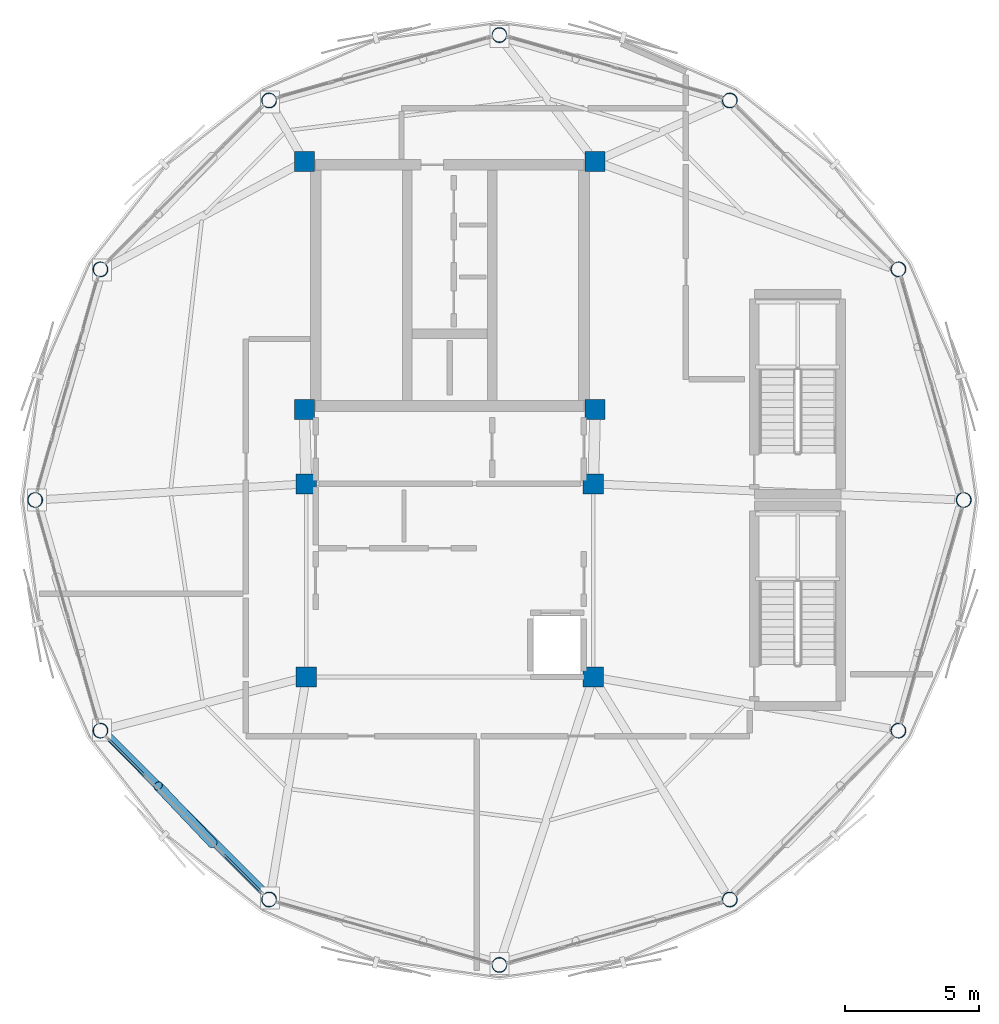
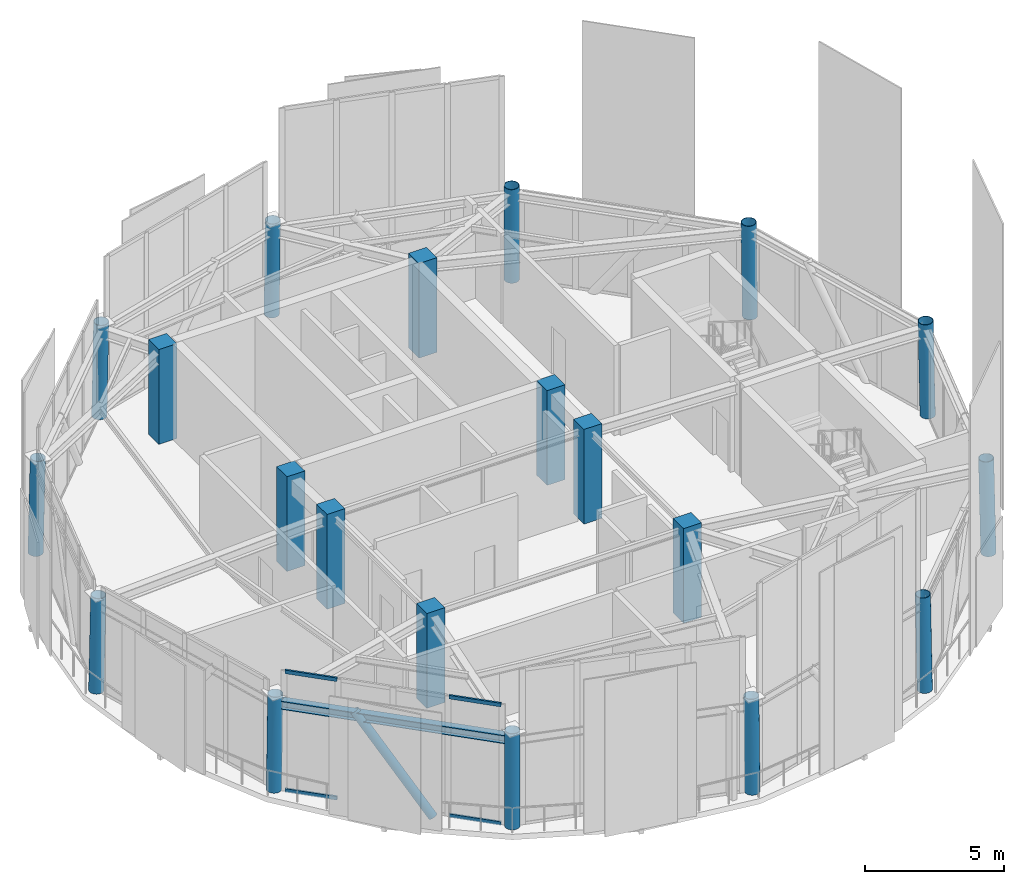
# One storey, part 1 of 20: 20 columns, 5 members, 1 beam, 1 element without a shape of its own.
"""IFC4 building model written with IfcOpenShell, lengths in metres."""

import ifcopenshell
import ifcopenshell.guid

model = None  # the IFC model being written
_history = None  # IfcOwnerHistory: only IFC2X3 demands one
_inside = {}  # id of a spatial element -> (the spatial element, [elements in it])
_under = {}  # id of a project, library or spatial element -> (it, [spatial elements below it])
_declared = {}  # id of a project -> (the project, [libraries it declares])
_typed = {}  # id of a type object -> (the type object, [elements of that type])
_made_of = {}  # id of a material, layer set ... -> (it, [elements and type objects made of it])


def new_model(schema):
    """Start an empty IFC model of exactly this schema.

    Asked for "IFC4X3", IfcOpenShell would pick the latest addendum, in which some entities
    have other attributes; the version numbers below select the first issue.
    IFC2X3 requires an IfcOwnerHistory on every rooted entity: one is made here for all.
    """
    global model, _history
    if schema == "IFC4X3":
        model = ifcopenshell.file(schema_version=(4, 3, 0, 0))
    else:
        model = ifcopenshell.file(schema=schema)
    _inside.clear()
    _under.clear()
    _declared.clear()
    _typed.clear()
    _made_of.clear()
    _history = None
    if model.schema == "IFC2X3":
        org = make("IfcOrganization", Name="unknown")
        user = make(
            "IfcPersonAndOrganization",
            ThePerson=make("IfcPerson", FamilyName="unknown"),
            TheOrganization=org,
        )
        app = make(
            "IfcApplication",
            ApplicationDeveloper=org,
            Version="unknown",
            ApplicationFullName="unknown",
            ApplicationIdentifier="unknown",
        )
        _history = make(
            "IfcOwnerHistory",
            OwningUser=user,
            OwningApplication=app,
            ChangeAction="ADDED",
            CreationDate=0,
        )
    return model


def make(cls, **values):
    """One entity of the class cls with the attributes given. An attribute that is None is left unset."""
    return model.create_entity(
        cls, **{name: value for name, value in values.items() if value is not None}
    )


def rooted(cls, **values):
    """An entity with a GlobalId (a new one), such as an element, a storey or a relation."""
    return make(cls, GlobalId=ifcopenshell.guid.new(), OwnerHistory=_history, **values)


def si_unit(unit_type, name, prefix=None):
    """IfcSIUnit, for example si_unit("LENGTHUNIT", "METRE", prefix="MILLI")."""
    return make("IfcSIUnit", UnitType=unit_type, Prefix=prefix, Name=name)


def assignment(units):
    """IfcUnitAssignment: the units of a project."""
    return None if units is None else make("IfcUnitAssignment", Units=units)


def point(xyz):
    """IfcCartesianPoint."""
    return None if xyz is None else make("IfcCartesianPoint", Coordinates=xyz)


def direction(xyz):
    """IfcDirection."""
    return None if xyz is None else make("IfcDirection", DirectionRatios=xyz)


def frame(location, z_axis=None, x_axis=None):
    """IfcAxis2Placement3D, a coordinate frame: its origin and axes. An axis left out is left unset."""
    return make(
        "IfcAxis2Placement3D",
        Location=point(location),
        Axis=direction(z_axis),
        RefDirection=direction(x_axis),
    )


def frame_2d(location, x_axis=None):
    """IfcAxis2Placement2D, a coordinate frame in the plane: its origin and x axis."""
    return make(
        "IfcAxis2Placement2D", Location=point(location), RefDirection=direction(x_axis)
    )


def origin():
    """The frame at (0, 0, 0) with its axes left unset."""
    return frame((0.0, 0.0, 0.0))


def origin_2d():
    """The frame at (0, 0) in the plane with its x axis left unset."""
    return frame_2d((0.0, 0.0))


def place(relative_to, where):
    """IfcLocalPlacement: puts the frame where relative to a parent placement (None: the world)."""
    return make(
        "IfcLocalPlacement", PlacementRelTo=relative_to, RelativePlacement=where
    )


def context(
    kind, dimensions, precision=None, world=None, true_north=None, identifier=None
):
    """IfcGeometricRepresentationContext, for example the 3D "Model" context."""
    return make(
        "IfcGeometricRepresentationContext",
        ContextIdentifier=identifier,
        ContextType=kind,
        CoordinateSpaceDimension=dimensions,
        Precision=precision,
        WorldCoordinateSystem=world,
        TrueNorth=true_north,
    )


def subcontext(parent, identifier, kind, view, scale=None):
    """IfcGeometricRepresentationSubContext, for example "Body" below "Model"."""
    return make(
        "IfcGeometricRepresentationSubContext",
        ContextIdentifier=identifier,
        ContextType=kind,
        ParentContext=parent,
        TargetScale=scale,
        TargetView=view,
    )


def project(units=None, contexts=None):
    """IfcProject with its units and contexts."""
    return rooted(
        "IfcProject",
        Name="project",
        RepresentationContexts=contexts,
        UnitsInContext=assignment(units),
    )


def spatial(cls, under=None, at=None, **own):
    """A site, building, storey or space (cls), placed at a placement, below another one or the project."""
    s = rooted(cls, ObjectPlacement=at, **own)
    if under is not None:
        _under.setdefault(under.id(), (under, []))[1].append(s)
    return s


def profile(cls, at=None, kind="AREA", **sizes):
    """A parametric profile (cls). Its sizes go by their IFC names, for example OverallWidth=200.0."""
    return make(cls, ProfileType=kind, Position=at, **sizes)


def rectangle(**sizes):
    """IfcRectangleProfileDef."""
    return profile("IfcRectangleProfileDef", **sizes)


def hollow_rectangle(**sizes):
    """IfcRectangleHollowProfileDef."""
    return profile("IfcRectangleHollowProfileDef", **sizes)


def hollow_circle(**sizes):
    """IfcCircleHollowProfileDef."""
    return profile("IfcCircleHollowProfileDef", **sizes)


def i_section(**sizes):
    """IfcIShapeProfileDef."""
    return profile("IfcIShapeProfileDef", **sizes)


def extrude(swept, where, along, depth):
    """IfcExtrudedAreaSolid: the profile swept, set in the frame where, extruded along a direction by depth."""
    return make(
        "IfcExtrudedAreaSolid",
        SweptArea=swept,
        Position=where,
        ExtrudedDirection=direction(along),
        Depth=depth,
    )


def shape(context_of_items, identifier, shape_type, items):
    """IfcShapeRepresentation: the items that make up one representation, for example the "Body"."""
    return make(
        "IfcShapeRepresentation",
        ContextOfItems=context_of_items,
        RepresentationIdentifier=identifier,
        RepresentationType=shape_type,
        Items=items,
    )


def material(Name=None, Category=None):
    """IfcMaterial."""
    return make("IfcMaterial", Name=Name, Category=Category)


def layer(
    of_material, thickness, ventilated=None, Name=None, Category=None, Priority=None
):
    """IfcMaterialLayer: one layer of a wall or slab, of a material (None: an air gap)."""
    return make(
        "IfcMaterialLayer",
        Material=of_material,
        LayerThickness=thickness,
        IsVentilated=ventilated,
        Name=Name,
        Category=Category,
        Priority=Priority,
    )


def layer_set(layers, Name=None):
    """IfcMaterialLayerSet."""
    return make("IfcMaterialLayerSet", MaterialLayers=layers, LayerSetName=Name)


def material_profile(
    of_material, cross_section, Name=None, Category=None, Priority=None
):
    """IfcMaterialProfile: a cross section and its material."""
    return make(
        "IfcMaterialProfile",
        Name=Name,
        Material=of_material,
        Profile=cross_section,
        Priority=Priority,
        Category=Category,
    )


def profile_set(profiles, Name=None, composite=None):
    """IfcMaterialProfileSet."""
    return make(
        "IfcMaterialProfileSet",
        Name=Name,
        MaterialProfiles=profiles,
        CompositeProfile=composite,
    )


def made_of(thing, what):
    """Note that an element or type object is made of a material, layer set ...; save() writes the relation."""
    if what is not None:
        _made_of.setdefault(what.id(), (what, []))[1].append(thing)
    return thing


def type_object(cls, material=None, **own):
    """A type object (cls), such as IfcWallType, which elements share."""
    return made_of(rooted(cls, **own), material)


def element(
    cls,
    number,
    at=None,
    inside=None,
    cuts=None,
    type_object=None,
    material=None,
    context=None,
    identifier="Body",
    shape_type=None,
    held_by="IfcProductDefinitionShape",
    body=None,
    shapes=None,
    **own,
):
    """One element of the class cls, such as IfcWall. Its Tag is "e" and its number.

    at: its placement. inside: the storey or other place that contains it. cuts: it is an
    opening in that element (IfcRelVoidsElement). A single representation is given by context,
    identifier, shape_type and body (its items); several are given by shapes. held_by: the class
    of the entity that holds the representations. save() writes the other relations.
    """
    e = rooted(cls, Tag="e%d" % number, ObjectPlacement=at, **own)
    if body is not None:
        shapes = [shape(context, identifier, shape_type, body)]
    if shapes is not None:
        e.Representation = make(held_by, Representations=shapes)
    if inside is not None:
        _inside.setdefault(inside.id(), (inside, []))[1].append(e)
    if cuts is not None:
        rooted(
            "IfcRelVoidsElement", RelatingBuildingElement=cuts, RelatedOpeningElement=e
        )
    if type_object is not None:
        _typed.setdefault(type_object.id(), (type_object, []))[1].append(e)
    return made_of(e, material)


def aggregate(whole, parts):
    """IfcRelAggregates: a whole, such as a stair, and the parts it consists of."""
    return rooted("IfcRelAggregates", RelatingObject=whole, RelatedObjects=parts)


def save(model, path):
    """Write the relations noted so far, then the file.

    IfcRelAggregates (storeys below a building ...), IfcRelContainedInSpatialStructure (elements
    in a storey), IfcRelDefinesByType, IfcRelAssociatesMaterial and IfcRelDeclares: one each for
    every whole, place, type object, material and project.
    """
    for whole, parts in _under.values():
        aggregate(whole, parts)
    for where, things in _inside.values():
        rooted(
            "IfcRelContainedInSpatialStructure",
            RelatedElements=things,
            RelatingStructure=where,
        )
    for kind, things in _typed.values():
        rooted("IfcRelDefinesByType", RelatedObjects=things, RelatingType=kind)
    for what, things in _made_of.values():
        rooted("IfcRelAssociatesMaterial", RelatedObjects=things, RelatingMaterial=what)
    for by, libraries in _declared.values():
        rooted("IfcRelDeclares", RelatingContext=by, RelatedDefinitions=libraries)
    model.write(path)


model = new_model("IFC4")

# Units and contexts
model_context = context("Model", 3, precision=1e-05, world=origin(), true_north=direction((0.0, 1.0)))
body_context = subcontext(model_context, "Body", "Model", "MODEL_VIEW")
ifc_project = project(units=[si_unit("LENGTHUNIT", "METRE"), si_unit("AREAUNIT", "SQUARE_METRE"), si_unit("VOLUMEUNIT", "CUBIC_METRE"), si_unit("PLANEANGLEUNIT", "RADIAN"), si_unit("MASSUNIT", "GRAM", prefix="KILO")], contexts=[model_context])

# Site, building, storey
site_placement = place(None, origin())
site = spatial("IfcSite", under=ifc_project, at=site_placement, CompositionType="ELEMENT")
building_placement = place(site_placement, origin())
building = spatial("IfcBuilding", under=site, at=building_placement, Name="Varnakorn Sky Granary", CompositionType="ELEMENT")
storey_placement = place(building_placement, frame((0.0, 0.0, 310.800048828125)))
storey = spatial("IfcBuildingStorey", under=building, at=storey_placement, Name="L79", CompositionType="ELEMENT", Elevation=310.800048828125)

# Columns
ifc_material_1 = material(Name="Steel S460M", Category="steel")
ifc_material_profile_1 = material_profile(ifc_material_1, hollow_circle(Radius=0.279541015625, WallThickness=0.02001953125, at=origin_2d()), Name="CHS 559x20")
ifc_profile_set_1 = profile_set([ifc_material_profile_1], Name="Steel S460M")
column_type_1 = type_object("IfcColumnType", Name="COL-DC-Z5", PredefinedType="COLUMN", material=ifc_profile_set_1)
column_1_placement = place(storey_placement, frame((22.1708984375, 0.0, 0.0), z_axis=(-0.020345474959, 0.0, 0.999793009402), x_axis=(0.0, -1.0, 0.0)))
element("IfcColumn", 1, at=column_1_placement, inside=storey, type_object=column_type_1, Name="Drum Perimeter Column DC01 L79", PredefinedType="COLUMN", context=body_context, shape_type="SweptSolid", body=[
    extrude(hollow_circle(Radius=0.279541015625, WallThickness=0.02001953125, at=origin_2d()), origin(), (0.0, 0.0, 1.0), 4.176025390625),
])
for number, where, z_axis, x_axis, name in (
    (2, (19.7333984375, 8.60400390625, 0.0), (-0.01759793405, -0.008594339885, 0.999808206627), (0.438835298505, -0.898567515986, 0.0), "Drum Perimeter Column DC02 L79"),
    (3, (13.443115234375, 14.902587890625, 0.0), (-0.010231637652, -0.014967424223, 0.999835631393), (0.825544483742, -0.564337049433, 0.0), "Drum Perimeter Column DC03 L79"),
    (4, (4.85009765625, 17.343017578125, 0.0), (0.0, -0.017247887084, 0.999851244131), (1.0, 0.0, 0.0), "Drum Perimeter Column DC04 L79"),
    (5, (-3.742919921875, 14.902587890625, 0.0), (0.01017317722, -0.014967433151, 0.999836227794), (0.827046660574, 0.562133277109, 0.0), "Drum Perimeter Column DC05 L79"),
    (6, (-10.033447265625, 8.60400390625, 0.0), (0.01759793405, -0.008594339885, 0.999808206627), (0.438835298505, 0.898567515986, 0.0), "Drum Perimeter Column DC06 L79"),
):
    element("IfcColumn", number, at=place(storey_placement, frame(where, z_axis=z_axis, x_axis=x_axis)), inside=storey, type_object=column_type_1, Name=name, PredefinedType="COLUMN", context=body_context, shape_type="SweptSolid", body=[
        extrude(hollow_circle(Radius=0.279541015625, WallThickness=0.02001953125, at=origin_2d()), origin(), (0.0, 0.0, 1.0), 4.17578125),
    ])
column_2_placement = place(storey_placement, frame((-12.470947265625, 0.0, 0.0), z_axis=(0.020345474959, 0.0, 0.999793009402), x_axis=(0.0, 1.0, 0.0)))
element("IfcColumn", 7, at=column_2_placement, inside=storey, type_object=column_type_1, Name="Drum Perimeter Column DC07 L79", PredefinedType="COLUMN", context=body_context, shape_type="SweptSolid", body=[
    extrude(hollow_circle(Radius=0.279541015625, WallThickness=0.02001953125, at=origin_2d()), origin(), (0.0, 0.0, 1.0), 4.176025390625),
])
for number, where, z_axis, x_axis, name in (
    (8, (-10.033447265625, -8.60400390625, 0.0), (0.01759793405, 0.008594339885, 0.999808206627), (-0.438835298505, 0.898567515986, 0.0), "Drum Perimeter Column DC08 L79"),
    (9, (-3.742919921875, -14.902587890625, 0.0), (0.01017317722, 0.014967433151, 0.999836227794), (-0.827046660574, 0.562133277109, 0.0), "Drum Perimeter Column DC09 L79"),
    (10, (4.85009765625, -17.343017578125, 0.0), (0.0, 0.017247887084, 0.999851244131), (-1.0, 0.0, 0.0), "Drum Perimeter Column DC10 L79"),
    (11, (13.443115234375, -14.902587890625, 0.0), (-0.010231637652, 0.014967424223, 0.999835631393), (-0.825544483742, -0.564337049433, 0.0), "Drum Perimeter Column DC11 L79"),
    (12, (19.7333984375, -8.60400390625, 0.0), (-0.01759793405, 0.008594339885, 0.999808206627), (-0.438835298505, -0.898567515986, 0.0), "Drum Perimeter Column DC12 L79"),
):
    element("IfcColumn", number, at=place(storey_placement, frame(where, z_axis=z_axis, x_axis=x_axis)), inside=storey, type_object=column_type_1, Name=name, PredefinedType="COLUMN", context=body_context, shape_type="SweptSolid", body=[
        extrude(hollow_circle(Radius=0.279541015625, WallThickness=0.02001953125, at=origin_2d()), origin(), (0.0, 0.0, 1.0), 4.17578125),
    ])
ifc_material_2 = material(Name="Concrete C50/60", Category="concrete")
ifc_material_profile_2 = material_profile(ifc_material_2, rectangle(XDim=0.75, YDim=0.75, at=origin_2d()), Name="RC 750x750")
ifc_profile_set_2 = profile_set([ifc_material_profile_2], Name="Concrete C50/60")
column_type_2 = type_object("IfcColumnType", Name="COL-MC-Z5", PredefinedType="COLUMN", material=ifc_profile_set_2)
for number, where, z_axis, x_axis, name in (
    (13, (-2.419921875, 12.6201171875, 0.0), (0.0, 0.0, 1.0), (1.0, 0.0, 0.0), "Backbone Mega-Column MC1 L79"),
    (14, (8.419921875, 12.6201171875, 0.0), (0.0, 0.0, 1.0), (1.0, 0.0, 0.0), "Backbone Mega-Column MC2 L79"),
    (15, (-2.419921875, 3.3798828125, 0.0), (0.0, 0.0, 1.0), (1.0, 0.0, 0.0), "Backbone Mega-Column MC3 L79"),
    (16, (8.419921875, 3.3798828125, 0.0), (0.0, 0.0, 1.0), (1.0, 0.0, 0.0), "Backbone Mega-Column MC4 L79"),
    (17, (-2.35009765625, 0.60009765625, 0.0), (0.0, 0.0, 1.0), (1.0, 0.0, 0.0), "Backbone Mega-Column MC5 L79"),
    (18, (8.35009765625, 0.60009765625, 0.0), (0.0, 0.0, 1.0), (1.0, 0.0, 0.0), "Backbone Mega-Column MC6 L79"),
    (19, (-2.35009765625, -6.60009765625, 0.0), (0.0, 0.0, 1.0), (1.0, 0.0, 0.0), "Backbone Mega-Column MC7 L79"),
    (20, (8.35009765625, -6.60009765625, 0.0), (0.0, 0.0, 1.0), (1.0, 0.0, 0.0), "Backbone Mega-Column MC8 L79"),
):
    element("IfcColumn", number, at=place(storey_placement, frame(where, z_axis=z_axis, x_axis=x_axis)), inside=storey, type_object=column_type_2, Name=name, PredefinedType="COLUMN", context=body_context, shape_type="SweptSolid", body=[
        extrude(rectangle(XDim=0.75, YDim=0.75, at=origin_2d()), origin(), (0.0, 0.0, 1.0), 4.175048828125),
    ])

# Beam
ifc_material_3 = material(Name="Steel S355JR", Category="steel")
ifc_material_profile_3 = material_profile(ifc_material_3, i_section(OverallWidth=0.300048828125, OverallDepth=0.360107421875, WebThickness=0.012451171875, FlangeThickness=0.0224609375, at=origin_2d()), Name="HE 360 B")
ifc_profile_set_3 = profile_set([ifc_material_profile_3], Name="Steel S355JR")
beam_type = type_object("IfcBeamType", Name="BM-SPD-Z5", PredefinedType="SPANDREL", material=ifc_profile_set_3)
beam_placement = place(storey_placement, frame((-9.773193359375, -8.755126953125, 3.780029296875), z_axis=(0.706388572025, -0.707824261602, 0.0), x_axis=(0.707824261602, 0.706388572025, 0.0)))
element("IfcBeam", 21, at=beam_placement, inside=storey, type_object=beam_type, Name="Perimeter Spandrel Ring Beam RB08 L79", PredefinedType="SPANDREL", context=body_context, shape_type="SweptSolid", body=[
    extrude(i_section(OverallWidth=0.300048828125, OverallDepth=0.360107421875, WebThickness=0.012451171875, FlangeThickness=0.0224609375, at=origin_2d()), origin(), (0.0, 0.0, 1.0), 8.33251953125),
])

# Curtain wall, members
ifc_material_4 = material(Name="Anodised Bronze Aluminium Alloy 6063-T6", Category="aluminium")
ifc_layer = layer(ifc_material_4, 0.22998046875, Name="Anodised Bronze Aluminium Alloy 6063-T6")
ifc_layer_set = layer_set([ifc_layer], Name="Anodised Bronze Aluminium Alloy 6063-T6")
curtain_wall_type = type_object("IfcCurtainWallType", Name="CW-LNT-1", PredefinedType="USERDEFINED", material=ifc_layer_set)
curtain_wall_placement = place(storey_placement, origin())
curtain_wall = element("IfcCurtainWall", 22, at=curtain_wall_placement, inside=storey, type_object=curtain_wall_type, Name="Unitised Curtain Wall CW7 CW-L79-B08", ObjectType="CURTAIN WALL", PredefinedType="USERDEFINED")
ifc_material_profile_4 = material_profile(ifc_material_4, hollow_rectangle(XDim=0.074951171875, YDim=0.159912109375, WallThickness=0.00390625, at=origin_2d()), Name="ALU TRAN 75x160")
ifc_profile_set_4 = profile_set([ifc_material_profile_4], Name="Anodised Bronze Aluminium Alloy 6063-T6")
member_type_1 = type_object("IfcMemberType", Name="CW-LNT-1-TRAN", PredefinedType="USERDEFINED", material=ifc_profile_set_4)
member_1_placement = place(storey_placement, frame((-4.035888671875, -14.609375, 0.037353515625), z_axis=(-0.706666940601, 0.707546348349, 0.0), x_axis=(-0.707546348349, -0.706666940601, 0.0)))
member_1 = element("IfcMember", 23, at=member_1_placement, type_object=member_type_1, Name="CW7 transom 1.1", ObjectType="TRANSOM", PredefinedType="USERDEFINED", context=body_context, shape_type="SweptSolid", body=[
    extrude(hollow_rectangle(XDim=0.074951171875, YDim=0.159912109375, WallThickness=0.00390625, at=origin_2d()), origin(), (0.0, 0.0, 1.0), 1.943359375),
])
member_2_placement = place(storey_placement, frame((-4.035888671875, -14.609375, 5.258544921875), z_axis=(-0.706666940601, 0.707546348349, 0.0), x_axis=(-0.707546348349, -0.706666940601, 0.0)))
member_2 = element("IfcMember", 24, at=member_2_placement, type_object=member_type_1, Name="CW7 transom 1.2", ObjectType="TRANSOM", PredefinedType="USERDEFINED", context=body_context, shape_type="SweptSolid", body=[
    extrude(hollow_rectangle(XDim=0.074951171875, YDim=0.159912109375, WallThickness=0.00390625, at=origin_2d()), origin(), (0.0, 0.0, 1.0), 1.943359375),
])
member_3_placement = place(storey_placement, frame((-8.367431640625, -10.272216796875, 0.037353515625), z_axis=(-0.706666940601, 0.707546348349, 0.0), x_axis=(-0.707546348349, -0.706666940601, 0.0)))
member_3 = element("IfcMember", 25, at=member_3_placement, type_object=member_type_1, Name="CW7 transom 4.1", ObjectType="TRANSOM", PredefinedType="USERDEFINED", context=body_context, shape_type="SweptSolid", body=[
    extrude(hollow_rectangle(XDim=0.074951171875, YDim=0.159912109375, WallThickness=0.00390625, at=origin_2d()), origin(), (0.0, 0.0, 1.0), 1.943359375),
])
member_4_placement = place(storey_placement, frame((-8.367431640625, -10.272216796875, 5.258544921875), z_axis=(-0.706666940601, 0.707546348349, 0.0), x_axis=(-0.707546348349, -0.706666940601, 0.0)))
member_4 = element("IfcMember", 26, at=member_4_placement, type_object=member_type_1, Name="CW7 transom 4.2", ObjectType="TRANSOM", PredefinedType="USERDEFINED", context=body_context, shape_type="SweptSolid", body=[
    extrude(hollow_rectangle(XDim=0.074951171875, YDim=0.159912109375, WallThickness=0.00390625, at=origin_2d()), origin(), (0.0, 0.0, 1.0), 1.943359375),
])
aggregate(curtain_wall, [member_1, member_2, member_3, member_4])

# Member
ifc_material_profile_5 = material_profile(ifc_material_1, hollow_circle(Radius=0.177734375, WallThickness=0.01416015625, at=origin_2d()), Name="CHS 355.6x14")
ifc_profile_set_5 = profile_set([ifc_material_profile_5], Name="Steel S460M")
member_type_2 = type_object("IfcMemberType", Name="MB-DIAG-T5", PredefinedType="BRACE", material=ifc_profile_set_5)
member_5_placement = place(storey_placement, frame((-5.83984375, -12.802978515625, -0.130126953125), z_axis=(-0.40298535849, 0.424951423175, 0.810567140208), x_axis=(-0.725611760676, -0.688104332764, 0.0)))
element("IfcMember", 27, at=member_5_placement, inside=storey, type_object=member_type_2, Name="Perimeter CHS Diagrid Brace DG08 L79", PredefinedType="BRACE", context=body_context, shape_type="SweptSolid", body=[
    extrude(hollow_circle(Radius=0.177734375, WallThickness=0.01416015625, at=origin_2d()), origin(), (0.0, 0.0, 1.0), 5.0458984375),
])

save(model, "model.ifc")
